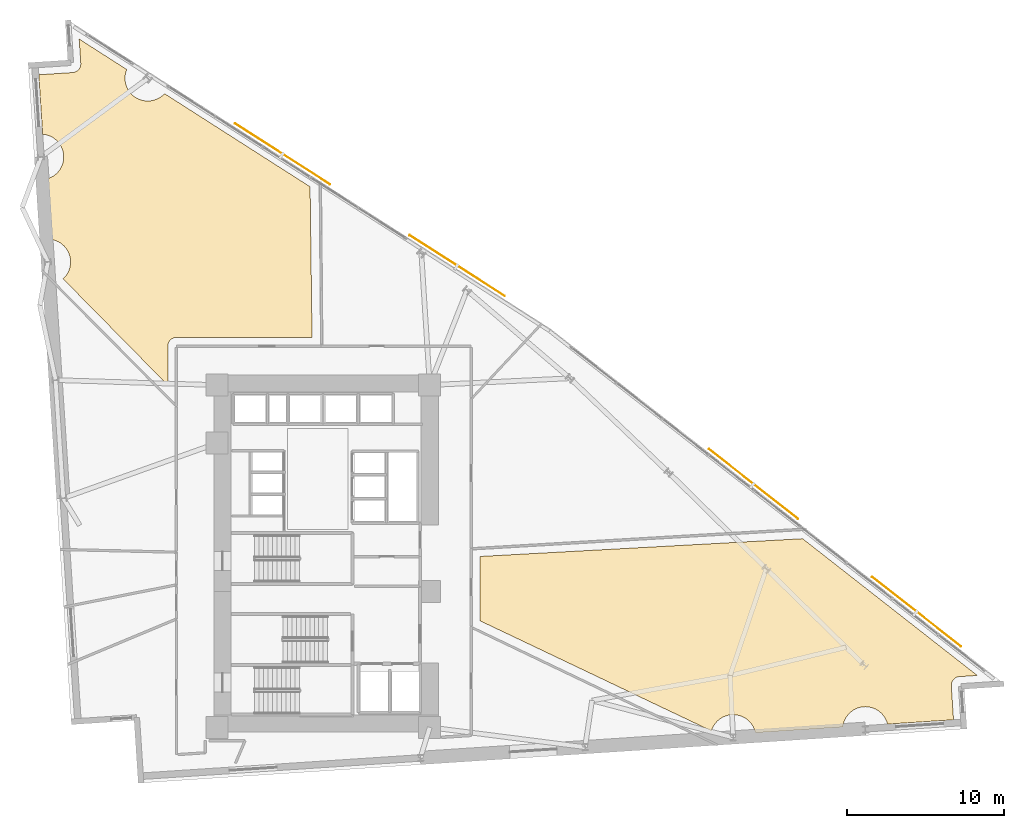
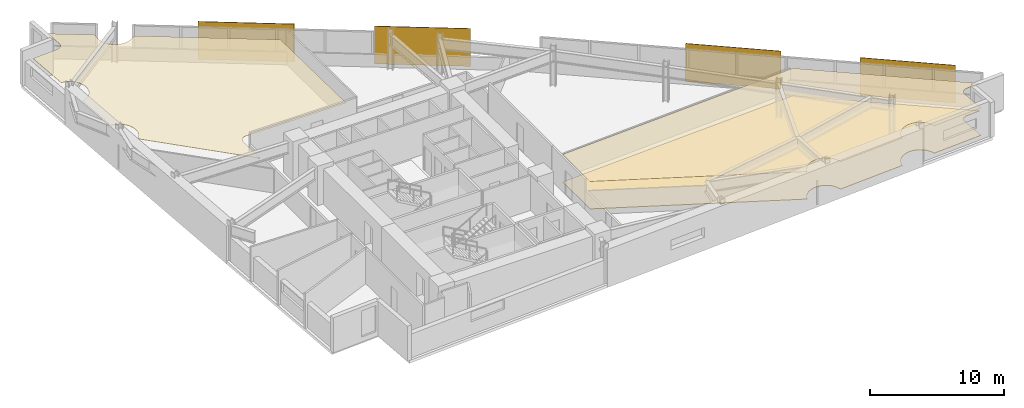
# One storey, part 15 of 15: 4 shading devices, 3 coverings.
"""IFC4 building model written with IfcOpenShell, lengths in metres."""

from ifc_helpers import new_model, si_unit, direction, frame, origin, origin_2d, place, context, subcontext, project, spatial, polyline, rectangle, outline, extrude, material, layer, layer_set, type_object, element, save


model = new_model("IFC4")

# Units and contexts
model_context = context("Model", 3, precision=1e-05, world=origin(), true_north=direction((0.0, 1.0)))
body_context = subcontext(model_context, "Body", "Model", "MODEL_VIEW")
ifc_project = project(units=[si_unit("LENGTHUNIT", "METRE"), si_unit("AREAUNIT", "SQUARE_METRE"), si_unit("VOLUMEUNIT", "CUBIC_METRE"), si_unit("PLANEANGLEUNIT", "RADIAN"), si_unit("MASSUNIT", "GRAM", prefix="KILO")], contexts=[model_context])

# Site, building, storey
site_placement = place(None, origin())
site = spatial("IfcSite", under=ifc_project, at=site_placement, CompositionType="ELEMENT")
building_placement = place(site_placement, origin())
building = spatial("IfcBuilding", under=site, at=building_placement, Name="Narakoshi Arena Tower", CompositionType="ELEMENT")
storey_placement = place(building_placement, frame((0.0, 0.0, 92.10009765625)))
storey = spatial("IfcBuildingStorey", under=building, at=storey_placement, Name="L24", CompositionType="ELEMENT", Elevation=92.10009765625)

# Coverings
ifc_material_1 = material(Name="Slatted oak acoustic timber baffle", Category="wood")
ifc_layer_1 = layer(ifc_material_1, 0.034912109375)
ifc_layer_set_1 = layer_set([ifc_layer_1], Name="Slatted oak acoustic timber baffle")
covering_type_1 = type_object("IfcCoveringType", Name="COV-CLG-WD35", PredefinedType="CEILING", material=ifc_layer_set_1)
covering_1_placement = place(storey_placement, frame((0.0, 0.0, 2.514892578125)))
element("IfcCovering", 1, at=covering_1_placement, inside=storey, type_object=covering_type_1, Name="L24 Suspended Acoustic Ceiling 1", PredefinedType="CEILING", context=body_context, shape_type="SweptSolid", body=[
    extrude(outline(polyline([(119.28564453125, 37.9287109375), (119.23193359375, 37.922607421875), (119.17919921875, 37.9111328125), (119.1279296875, 37.89453125), (119.078369140625, 37.873046875), (119.03125, 37.846923828125), (118.98681640625, 37.816162109375), (118.945556640625, 37.78125), (118.908203125, 37.742431640625), (118.87451171875, 37.7001953125), (118.84521484375, 37.65478515625), (118.820556640625, 37.606689453125), (118.80078125, 37.556640625), (118.785888671875, 37.504638671875), (118.7763671875, 37.45166015625), (118.77197265625, 37.397705078125), (118.772705078125, 37.34375), (118.91455078125, 35.181884765625), (114.706787109375, 34.90625), (114.687255859375, 34.984375), (114.63916015625, 35.118408203125), (114.578369140625, 35.2470703125), (114.505126953125, 35.369140625), (114.42041015625, 35.4833984375), (114.324951171875, 35.5888671875), (114.219482421875, 35.684326171875), (114.105224609375, 35.76904296875), (113.983154296875, 35.84228515625), (113.8544921875, 35.903076171875), (113.720458984375, 35.951171875), (113.58251953125, 35.985595703125), (113.441650390625, 36.006591796875), (113.299560546875, 36.013427734375), (113.157470703125, 36.006591796875), (113.0166015625, 35.985595703125), (112.878662109375, 35.951171875), (112.74462890625, 35.903076171875), (112.6162109375, 35.84228515625), (112.493896484375, 35.76904296875), (112.379638671875, 35.684326171875), (112.2744140625, 35.5888671875), (112.1787109375, 35.4833984375), (112.093994140625, 35.369140625), (112.020751953125, 35.2470703125), (111.9599609375, 35.118408203125), (111.912109375, 34.984375), (111.87744140625, 34.846435546875), (111.858642578125, 34.719482421875), (106.29638671875, 34.35498046875), (106.265625, 34.4775390625), (106.217529296875, 34.611572265625), (106.15673828125, 34.739990234375), (106.08349609375, 34.8623046875), (105.998779296875, 34.9765625), (105.9033203125, 35.081787109375), (105.7978515625, 35.177490234375), (105.68359375, 35.26220703125), (105.5615234375, 35.33544921875), (105.432861328125, 35.396240234375), (105.298828125, 35.444091796875), (105.160888671875, 35.478759765625), (105.02001953125, 35.49951171875), (104.8779296875, 35.506591796875), (104.73583984375, 35.49951171875), (104.59521484375, 35.478759765625), (104.45703125, 35.444091796875), (104.322998046875, 35.396240234375), (104.194580078125, 35.33544921875), (104.072509765625, 35.26220703125), (103.9580078125, 35.177490234375), (103.852783203125, 35.081787109375), (103.757080078125, 34.9765625), (103.67236328125, 34.8623046875), (103.59912109375, 34.739990234375), (103.538330078125, 34.611572265625), (103.490478515625, 34.4775390625), (103.4892578125, 34.47265625), (88.74365234375, 41.490234375), (88.74365234375, 45.58447265625), (109.30224609375, 46.7158203125), (120.429931640625, 38.003662109375), (119.28564453125, 37.9287109375)])), origin(), (0.0, 0.0, 1.0), 0.034912109375),
])
covering_2_placement = place(storey_placement, frame((0.0, 0.0, 2.514892578125)))
element("IfcCovering", 2, at=covering_2_placement, inside=storey, type_object=covering_type_1, Name="L24 Suspended Acoustic Ceiling 2", PredefinedType="CEILING", context=body_context, shape_type="SweptSolid", body=[
    extrude(outline(polyline([(62.809326171875, 76.409423828125), (62.863037109375, 76.41552734375), (62.915771484375, 76.427001953125), (62.967041015625, 76.443603515625), (63.0166015625, 76.46484375), (63.063720703125, 76.4912109375), (63.108154296875, 76.52197265625), (63.1494140625, 76.556884765625), (63.18701171875, 76.595703125), (63.220458984375, 76.6376953125), (63.249755859375, 76.68310546875), (63.2744140625, 76.731201171875), (63.294189453125, 76.781494140625), (63.30908203125, 76.833251953125), (63.318603515625, 76.886474609375), (63.322998046875, 76.940185546875), (63.322265625, 76.994140625), (63.220703125, 78.541259765625), (66.252197265625, 76.602294921875), (66.250244140625, 76.598388671875), (66.202392578125, 76.46435546875), (66.167724609375, 76.326416015625), (66.14697265625, 76.185546875), (66.139892578125, 76.04345703125), (66.14697265625, 75.9013671875), (66.167724609375, 75.760498046875), (66.202392578125, 75.62255859375), (66.250244140625, 75.488525390625), (66.31103515625, 75.35986328125), (66.38427734375, 75.23779296875), (66.468994140625, 75.12353515625), (66.564697265625, 75.01806640625), (66.669921875, 74.922607421875), (66.7841796875, 74.837890625), (66.906494140625, 74.7646484375), (67.034912109375, 74.703857421875), (67.1689453125, 74.65576171875), (67.306884765625, 74.621337890625), (67.44775390625, 74.600341796875), (67.58984375, 74.593505859375), (67.73193359375, 74.600341796875), (67.872802734375, 74.621337890625), (68.0107421875, 74.65576171875), (68.144775390625, 74.703857421875), (68.2734375, 74.7646484375), (68.3955078125, 74.837890625), (68.509765625, 74.922607421875), (68.615234375, 75.01806640625), (68.656982421875, 75.064208984375), (77.929931640625, 69.1328125), (78.0556640625, 59.534912109375), (69.4150390625, 59.534912109375), (69.361083984375, 59.532470703125), (69.3076171875, 59.5244140625), (69.25537109375, 59.51123046875), (69.20458984375, 59.4931640625), (69.15576171875, 59.47021484375), (69.109375, 59.4423828125), (69.066162109375, 59.41015625), (69.026123046875, 59.373779296875), (68.98974609375, 59.333984375), (68.957763671875, 59.29052734375), (68.929931640625, 59.244384765625), (68.906982421875, 59.195556640625), (68.888671875, 59.144775390625), (68.87548828125, 59.09228515625), (68.86767578125, 59.038818359375), (68.864990234375, 58.985107421875), (68.864990234375, 56.493408203125), (62.1953125, 63.268798828125), (62.2490234375, 63.317626953125), (62.3447265625, 63.423095703125), (62.429443359375, 63.537353515625), (62.502685546875, 63.659423828125), (62.5634765625, 63.7880859375), (62.611328125, 63.922119140625), (62.64599609375, 64.06005859375), (62.666748046875, 64.200927734375), (62.673828125, 64.343017578125), (62.666748046875, 64.485107421875), (62.64599609375, 64.6259765625), (62.611328125, 64.763916015625), (62.5634765625, 64.89794921875), (62.502685546875, 65.026611328125), (62.429443359375, 65.148681640625), (62.3447265625, 65.262939453125), (62.2490234375, 65.368408203125), (62.143798828125, 65.4638671875), (62.029296875, 65.548583984375), (61.9072265625, 65.621826171875), (61.77880859375, 65.6826171875), (61.644775390625, 65.730712890625), (61.506591796875, 65.76513671875), (61.365966796875, 65.785888671875), (61.334716796875, 65.78759765625), (61.083984375, 69.61279296875), (61.206298828125, 69.643310546875), (61.34033203125, 69.69140625), (61.468994140625, 69.752197265625), (61.591064453125, 69.8251953125), (61.705322265625, 69.909912109375), (61.810791015625, 70.005615234375), (61.90625, 70.111083984375), (61.990966796875, 70.225341796875), (62.064208984375, 70.347412109375), (62.125, 70.47607421875), (62.173095703125, 70.610107421875), (62.20751953125, 70.748046875), (62.228515625, 70.888916015625), (62.2353515625, 71.031005859375), (62.228515625, 71.173095703125), (62.20751953125, 71.313720703125), (62.173095703125, 71.451904296875), (62.125, 71.585693359375), (62.064208984375, 71.71435546875), (61.990966796875, 71.83642578125), (61.90625, 71.95068359375), (61.810791015625, 72.05615234375), (61.705322265625, 72.15185546875), (61.591064453125, 72.236572265625), (61.468994140625, 72.309814453125), (61.34033203125, 72.37060546875), (61.206298828125, 72.41845703125), (61.068359375, 72.452880859375), (60.927490234375, 72.473876953125), (60.896240234375, 72.4755859375), (60.647705078125, 76.267578125), (62.809326171875, 76.409423828125)])), origin(), (0.0, 0.0, 1.0), 0.034912109375),
])
ifc_material_2 = material(Name="Raised steel access floor panel", Category="steel")
ifc_layer_2 = layer(ifc_material_2, 0.044921875)
ifc_layer_set_2 = layer_set([ifc_layer_2], Name="Raised steel access floor panel")
covering_type_2 = type_object("IfcCoveringType", Name="COV-FLR-RF45", PredefinedType="FLOORING", material=ifc_layer_set_2)
covering_3_placement = place(storey_placement, origin())
element("IfcCovering", 3, at=covering_3_placement, inside=storey, type_object=covering_type_2, Name="L24 Raised Steel Access Floor", PredefinedType="FLOORING", context=body_context, shape_type="SweptSolid", body=[
    extrude(outline(polyline([(119.28564453125, 37.9287109375), (119.23193359375, 37.922607421875), (119.17919921875, 37.9111328125), (119.1279296875, 37.89453125), (119.078369140625, 37.873046875), (119.03125, 37.846923828125), (118.98681640625, 37.816162109375), (118.945556640625, 37.78125), (118.908203125, 37.742431640625), (118.87451171875, 37.7001953125), (118.84521484375, 37.65478515625), (118.820556640625, 37.606689453125), (118.80078125, 37.556640625), (118.785888671875, 37.504638671875), (118.7763671875, 37.45166015625), (118.77197265625, 37.397705078125), (118.772705078125, 37.34375), (118.91455078125, 35.181884765625), (114.706787109375, 34.90625), (114.687255859375, 34.984375), (114.63916015625, 35.118408203125), (114.578369140625, 35.2470703125), (114.505126953125, 35.369140625), (114.42041015625, 35.4833984375), (114.324951171875, 35.5888671875), (114.219482421875, 35.684326171875), (114.105224609375, 35.76904296875), (113.983154296875, 35.84228515625), (113.8544921875, 35.903076171875), (113.720458984375, 35.951171875), (113.58251953125, 35.985595703125), (113.441650390625, 36.006591796875), (113.299560546875, 36.013427734375), (113.157470703125, 36.006591796875), (113.0166015625, 35.985595703125), (112.878662109375, 35.951171875), (112.74462890625, 35.903076171875), (112.6162109375, 35.84228515625), (112.493896484375, 35.76904296875), (112.379638671875, 35.684326171875), (112.2744140625, 35.5888671875), (112.1787109375, 35.4833984375), (112.093994140625, 35.369140625), (112.020751953125, 35.2470703125), (111.9599609375, 35.118408203125), (111.912109375, 34.984375), (111.87744140625, 34.846435546875), (111.858642578125, 34.719482421875), (106.29638671875, 34.35498046875), (106.265625, 34.4775390625), (106.217529296875, 34.611572265625), (106.15673828125, 34.739990234375), (106.08349609375, 34.8623046875), (105.998779296875, 34.9765625), (105.9033203125, 35.081787109375), (105.7978515625, 35.177490234375), (105.68359375, 35.26220703125), (105.5615234375, 35.33544921875), (105.432861328125, 35.396240234375), (105.298828125, 35.444091796875), (105.160888671875, 35.478759765625), (105.02001953125, 35.49951171875), (104.8779296875, 35.506591796875), (104.73583984375, 35.49951171875), (104.59521484375, 35.478759765625), (104.45703125, 35.444091796875), (104.322998046875, 35.396240234375), (104.194580078125, 35.33544921875), (104.072509765625, 35.26220703125), (103.9580078125, 35.177490234375), (103.852783203125, 35.081787109375), (103.757080078125, 34.9765625), (103.67236328125, 34.8623046875), (103.59912109375, 34.739990234375), (103.538330078125, 34.611572265625), (103.490478515625, 34.4775390625), (103.4892578125, 34.47265625), (88.74365234375, 41.490234375), (88.74365234375, 45.58447265625), (109.30224609375, 46.7158203125), (120.429931640625, 38.003662109375), (119.28564453125, 37.9287109375)])), origin(), (0.0, 0.0, 1.0), 0.044921875),
])

# Shading devices
ifc_material_3 = material(Name="Perforated bronze ceramic-metal composite")
ifc_layer_3 = layer(ifc_material_3, 0.044921875)
ifc_layer_set_3 = layer_set([ifc_layer_3], Name="Perforated bronze ceramic-metal composite")
shading_device_type = type_object("IfcShadingDeviceType", Name="SHD-SCR-BRZ1", PredefinedType="USERDEFINED", material=ifc_layer_set_3)
for number, where, z_axis, x_axis, name in (
    (4, (116.560546875, 42.06494140625, 0.0), (0.0, 0.0, 1.0), (-0.787387121413, 0.616458855912, 0.0), "L24 Perforated Bronze Solar Screen 1-1"),
    (5, (106.1669921875, 50.2021484375, 0.0), (0.0, 0.0, 1.0), (-0.787387121413, 0.616458855912, 0.0), "L24 Perforated Bronze Solar Screen 1-2"),
    (6, (87.29541015625, 64.10693359375, 0.0), (0.0, 0.0, 1.0), (-0.842414781658, 0.538829597966, 0.0), "L24 Perforated Bronze Solar Screen 2-1"),
    (7, (76.17529296875, 71.219482421875, 0.0), (0.0, 0.0, 1.0), (-0.842414781658, 0.538829597966, 0.0), "L24 Perforated Bronze Solar Screen 2-2"),
):
    element("IfcShadingDevice", number, at=place(storey_placement, frame(where, z_axis=z_axis, x_axis=x_axis)), inside=storey, type_object=shading_device_type, Name=name, ObjectType="SOLAR SCREEN", PredefinedType="USERDEFINED", context=body_context, shape_type="SweptSolid", body=[
        extrude(rectangle(XDim=7.199951171875, YDim=0.044921875, at=origin_2d()), origin(), (0.0, 0.0, 1.0), 3.449951171875),
    ])

save(model, "model.ifc")
